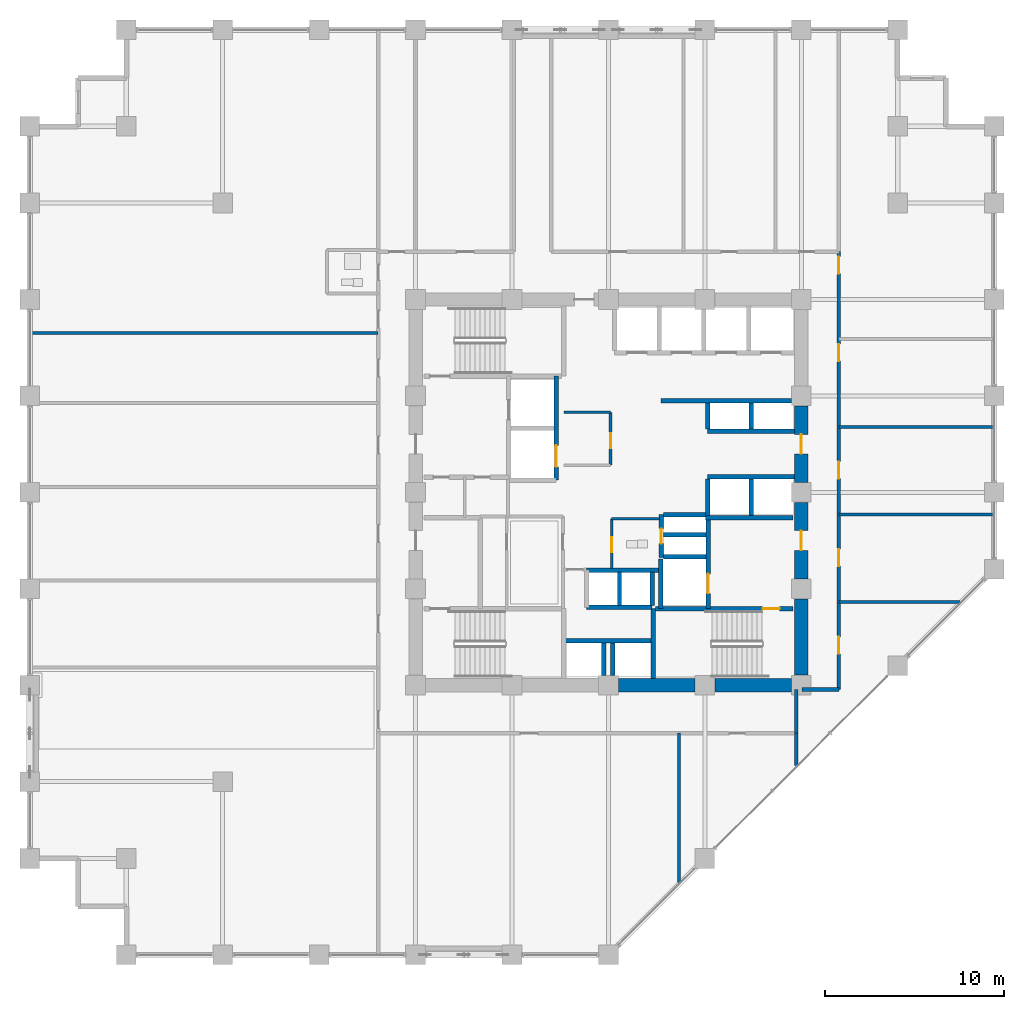
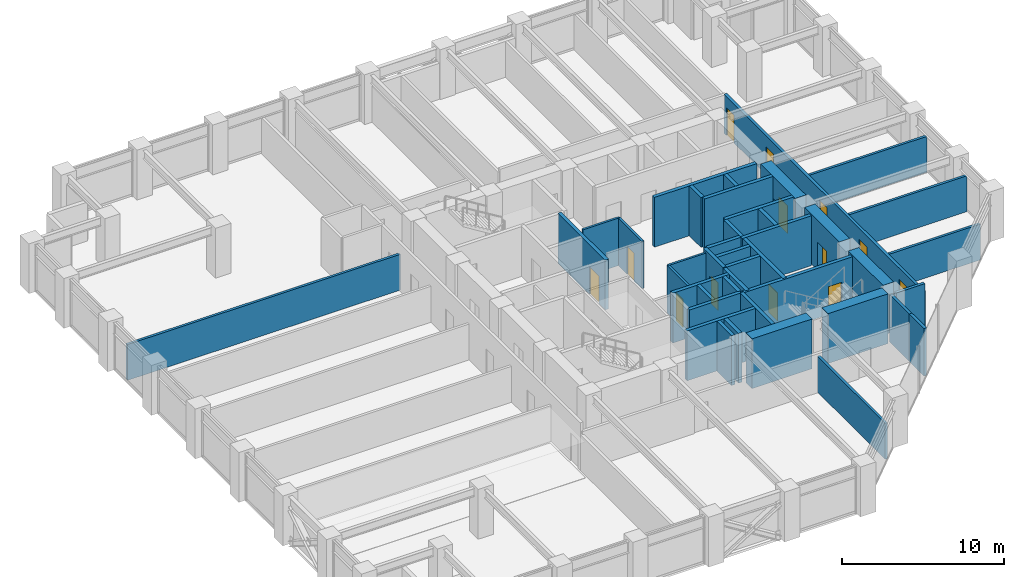
# One storey, part 20 of 25: 42 walls, 13 doors, 13 openings.
"""IFC4 building model written with IfcOpenShell, lengths in metres."""

from ifc_helpers import new_model, si_unit, direction, frame, frame_2d, origin, place, context, subcontext, project, spatial, rectangle, extrude, material, layer, layer_set, type_object, element, fill, save


model = new_model("IFC4")

# Units and contexts
model_context = context("Model", 3, precision=1e-05, world=origin(), true_north=direction((0.0, 1.0)))
body_context = subcontext(model_context, "Body", "Model", "MODEL_VIEW")
ifc_project = project(units=[si_unit("LENGTHUNIT", "METRE"), si_unit("AREAUNIT", "SQUARE_METRE"), si_unit("VOLUMEUNIT", "CUBIC_METRE"), si_unit("PLANEANGLEUNIT", "RADIAN"), si_unit("MASSUNIT", "GRAM", prefix="KILO")], contexts=[model_context])

# Site, building, storey
site_placement = place(None, origin())
site = spatial("IfcSite", under=ifc_project, at=site_placement, CompositionType="ELEMENT")
building_placement = place(site_placement, origin())
building = spatial("IfcBuilding", under=site, at=building_placement, Name="Surkhivell Harbour Commons", CompositionType="ELEMENT")
storey_placement = place(building_placement, frame((0.0, 0.0, 113.25)))
storey = spatial("IfcBuildingStorey", under=building, at=storey_placement, Name="L29", CompositionType="ELEMENT", Elevation=113.25)

# Wall
ifc_material_1 = material(Name="Concrete C60/75", Category="concrete")
ifc_layer_1 = layer(ifc_material_1, 0.75)
ifc_layer_set_1 = layer_set([ifc_layer_1], Name="Concrete C60/75")
wall_type_1 = type_object("IfcWallType", Name="WAL-CORE-750", PredefinedType="SHEAR", material=ifc_layer_set_1)
wall_1_placement = place(storey_placement, frame((10.800048828125, -10.239990234375, 0.0), z_axis=(0.0, 0.0, 1.0), x_axis=(0.0, 1.0, 0.0)))
element("IfcWall", 1, at=wall_1_placement, inside=storey, type_object=wall_type_1, Name="L29 Core Shear Wall East 1", PredefinedType="SHEAR", context=body_context, shape_type="SweptSolid", body=[
    extrude(rectangle(XDim=4.280029296875, YDim=0.75, at=frame_2d((2.14013671875, 0.0))), origin(), (0.0, 0.0, 1.0), 3.75),
])

# Wall, opening, door
wall_2_placement = place(storey_placement, frame((10.800048828125, -4.840087890625, 0.0), z_axis=(0.0, 0.0, 1.0), x_axis=(0.0, 1.0, 0.0)))
wall_2 = element("IfcWall", 2, at=wall_2_placement, inside=storey, type_object=wall_type_1, Name="L29 Core Shear Wall East 2", PredefinedType="SHEAR", context=body_context, shape_type="SweptSolid", body=[
    extrude(rectangle(XDim=4.280029296875, YDim=0.75, at=frame_2d((2.14013671875, 0.0))), origin(), (0.0, 0.0, 1.0), 3.75),
])
opening_1_placement = place(wall_2_placement, frame((1.590087890625, 0.0, 0.0)))
opening_1 = element("IfcOpeningElement", 3, at=opening_1_placement, cuts=wall_2, Name="Opening ID-1", PredefinedType="OPENING", context=body_context, shape_type="SweptSolid", body=[
    extrude(rectangle(XDim=1.10009765625, YDim=2.10009765625, at=frame_2d((0.550048828125, 1.050048828125))), frame((0.0, 0.385009765625, 0.0), z_axis=(0.0, -1.0, 0.0), x_axis=(1.0, 0.0, 0.0)), (0.0, 0.0, 1.0), 0.77001953125),
])
ifc_material_2 = material(Name="Hardwood-veneered fire-rated door leaf", Category="wood")
door_type_1 = type_object("IfcDoorType", Name="DOR-FD120-1100", OperationType="NOTDEFINED", PredefinedType="DOOR", material=ifc_material_2)
door_1_placement = place(opening_1_placement, origin())
door_1 = element("IfcDoor", 4, at=door_1_placement, inside=storey, type_object=door_type_1, Name="L29 Firefighting Lobby 2 Corridor Door", OperationType="SINGLE_SWING_RIGHT", OverallHeight=2.10009765625, OverallWidth=1.10009765625, PredefinedType="DOOR", context=body_context, shape_type="SweptSolid", body=[
    extrude(rectangle(XDim=1.10009765625, YDim=2.10009765625, at=frame_2d((0.550048828125, 1.050048828125))), frame((0.0, 0.02490234375, 0.0), z_axis=(0.0, -1.0, 0.0), x_axis=(1.0, 0.0, 0.0)), (0.0, 0.0, 1.0), 0.050048828125),
])
fill(opening_1, door_1)

# Wall
wall_3_placement = place(storey_placement, frame((0.56005859375, -10.800048828125, 0.0), z_axis=(0.0, 0.0, 1.0), x_axis=(1.0, 0.0, 0.0)))
element("IfcWall", 5, at=wall_3_placement, inside=storey, type_object=wall_type_1, Name="L29 Core Shear Wall South 3", PredefinedType="SHEAR", context=body_context, shape_type="SweptSolid", body=[
    extrude(rectangle(XDim=4.280029296875, YDim=0.75, at=frame_2d((2.14013671875, 0.0))), origin(), (0.0, 0.0, 1.0), 3.75),
])

# Wall, opening, door
wall_4_placement = place(storey_placement, frame((10.800048828125, 0.56005859375, 0.0), z_axis=(0.0, 0.0, 1.0), x_axis=(0.0, 1.0, 0.0)))
wall_4 = element("IfcWall", 6, at=wall_4_placement, inside=storey, type_object=wall_type_1, Name="L29 Core Shear Wall East 3", PredefinedType="SHEAR", context=body_context, shape_type="SweptSolid", body=[
    extrude(rectangle(XDim=4.280029296875, YDim=0.75, at=frame_2d((2.14013671875, 0.0))), origin(), (0.0, 0.0, 1.0), 3.75),
])
opening_2_placement = place(wall_4_placement, frame((1.590087890625, 0.0, 0.0)))
opening_2 = element("IfcOpeningElement", 7, at=opening_2_placement, cuts=wall_4, Name="Opening ID-2", PredefinedType="OPENING", context=body_context, shape_type="SweptSolid", body=[
    extrude(rectangle(XDim=1.10009765625, YDim=2.10009765625, at=frame_2d((0.550048828125, 1.050048828125))), frame((0.0, 0.385009765625, 0.0), z_axis=(0.0, -1.0, 0.0), x_axis=(1.0, 0.0, 0.0)), (0.0, 0.0, 1.0), 0.77001953125),
])
door_type_2 = type_object("IfcDoorType", Name="DOR-FD60-1100", OperationType="NOTDEFINED", PredefinedType="DOOR", material=ifc_material_2)
door_2_placement = place(opening_2_placement, origin())
door_2 = element("IfcDoor", 8, at=door_2_placement, inside=storey, type_object=door_type_2, Name="L29 Mid-Rise Lobby East Door", OperationType="SINGLE_SWING_LEFT", OverallHeight=2.10009765625, OverallWidth=1.10009765625, PredefinedType="DOOR", context=body_context, shape_type="SweptSolid", body=[
    extrude(rectangle(XDim=1.10009765625, YDim=2.10009765625, at=frame_2d((0.550048828125, 1.050048828125))), frame((0.0, 0.02490234375, 0.0), z_axis=(0.0, -1.0, 0.0), x_axis=(1.0, 0.0, 0.0)), (0.0, 0.0, 1.0), 0.050048828125),
])
fill(opening_2, door_2)

# Walls
wall_5_placement = place(storey_placement, frame((5.9599609375, -10.800048828125, 0.0), z_axis=(0.0, 0.0, 1.0), x_axis=(1.0, 0.0, 0.0)))
element("IfcWall", 9, at=wall_5_placement, inside=storey, type_object=wall_type_1, Name="L29 Core Shear Wall South 4", PredefinedType="SHEAR", context=body_context, shape_type="SweptSolid", body=[
    extrude(rectangle(XDim=4.280029296875, YDim=0.75, at=frame_2d((2.14013671875, 0.0))), origin(), (0.0, 0.0, 1.0), 3.75),
])
ifc_material_3 = material(Name="Twin-stud acoustic fireboard partition", Category="other")
ifc_layer_2 = layer(ifc_material_3, 0.14990234375)
ifc_layer_set_2 = layer_set([ifc_layer_2], Name="Twin-stud acoustic fireboard partition")
wall_type_2 = type_object("IfcWallType", Name="WAL-INT-150", PredefinedType="PARTITIONING", material=ifc_layer_set_2)
wall_6_placement = place(storey_placement, frame((0.179931640625, -1.47998046875, 0.0), z_axis=(0.0, 0.0, 1.0), x_axis=(1.0, 0.0, 0.0)))
element("IfcWall", 10, at=wall_6_placement, inside=storey, type_object=wall_type_2, Name="L29 Core Accessible WC North Wall", PredefinedType="PARTITIONING", context=body_context, shape_type="SweptSolid", body=[
    extrude(rectangle(XDim=2.670166015625, YDim=0.14990234375, at=frame_2d((1.3349609375, 0.0))), origin(), (0.0, 0.0, 1.0), 3.570068359375),
])

# Wall, opening, door
wall_7_placement = place(storey_placement, frame((0.179931640625, -4.25, 0.0), z_axis=(0.0, 0.0, 1.0), x_axis=(0.0, 1.0, 0.0)))
wall_7 = element("IfcWall", 11, at=wall_7_placement, inside=storey, type_object=wall_type_2, Name="L29 Core Accessible WC West Wall", PredefinedType="PARTITIONING", context=body_context, shape_type="SweptSolid", body=[
    extrude(rectangle(XDim=2.77001953125, YDim=0.14990234375, at=frame_2d((1.385009765625, 0.0))), origin(), (0.0, 0.0, 1.0), 3.570068359375),
])
opening_3_placement = place(wall_7_placement, frame((0.89990234375, 0.0, 0.0)))
opening_3 = element("IfcOpeningElement", 12, at=opening_3_placement, cuts=wall_7, Name="Opening ID-6", PredefinedType="OPENING", context=body_context, shape_type="SweptSolid", body=[
    extrude(rectangle(XDim=0.85009765625, YDim=2.10009765625, at=frame_2d((0.425048828125, 1.050048828125))), frame((0.0, 0.0849609375, 0.0), z_axis=(0.0, -1.0, 0.0), x_axis=(1.0, 0.0, 0.0)), (0.0, 0.0, 1.0), 0.169921875),
])
door_type_3 = type_object("IfcDoorType", Name="DOR-FD30-850", OperationType="NOTDEFINED", PredefinedType="DOOR", material=ifc_material_2)
door_3_placement = place(opening_3_placement, origin())
door_3 = element("IfcDoor", 13, at=door_3_placement, inside=storey, type_object=door_type_3, Name="L29 Floor Accessible WC Door", OperationType="SINGLE_SWING_LEFT", OverallHeight=2.10009765625, OverallWidth=0.85009765625, PredefinedType="DOOR", context=body_context, shape_type="SweptSolid", body=[
    extrude(rectangle(XDim=0.85009765625, YDim=2.10009765625, at=frame_2d((0.425048828125, 1.050048828125))), frame((0.0, 0.02490234375, 0.0), z_axis=(0.0, -1.0, 0.0), x_axis=(1.0, 0.0, 0.0)), (0.0, 0.0, 1.0), 0.050048828125),
])
fill(opening_3, door_3)

wall_8_placement = place(storey_placement, frame((0.1201171875, 1.52001953125, 0.0), z_axis=(0.0, 0.0, 1.0), x_axis=(0.0, 1.0, 0.0)))
wall_8 = element("IfcWall", 14, at=wall_8_placement, inside=storey, type_object=wall_type_2, Name="L29 Central Reading East Wall", PredefinedType="PARTITIONING", context=body_context, shape_type="SweptSolid", body=[
    extrude(rectangle(XDim=2.9599609375, YDim=0.14990234375, at=frame_2d((1.47998046875, 0.0))), origin(), (0.0, 0.0, 1.0), 3.570068359375),
])
opening_4_placement = place(wall_8_placement, frame((0.949951171875, 0.0, 0.0)))
opening_4 = element("IfcOpeningElement", 15, at=opening_4_placement, cuts=wall_8, Name="Opening ID-6", PredefinedType="OPENING", context=body_context, shape_type="SweptSolid", body=[
    extrude(rectangle(XDim=0.85009765625, YDim=2.10009765625, at=frame_2d((0.425048828125, 1.050048828125))), frame((0.0, 0.0849609375, 0.0), z_axis=(0.0, -1.0, 0.0), x_axis=(1.0, 0.0, 0.0)), (0.0, 0.0, 1.0), 0.169921875),
])
door_4_placement = place(opening_4_placement, origin())
door_4 = element("IfcDoor", 16, at=door_4_placement, inside=storey, type_object=door_type_3, Name="L29 Central Core Reading Door", OperationType="SINGLE_SWING_RIGHT", OverallHeight=2.10009765625, OverallWidth=0.85009765625, PredefinedType="DOOR", context=body_context, shape_type="SweptSolid", body=[
    extrude(rectangle(XDim=0.85009765625, YDim=2.10009765625, at=frame_2d((0.425048828125, 1.050048828125))), frame((0.0, 0.02490234375, 0.0), z_axis=(0.0, -1.0, 0.0), x_axis=(1.0, 0.0, 0.0)), (0.0, 0.0, 1.0), 0.050048828125),
])
fill(opening_4, door_4)

# Walls
wall_9_placement = place(storey_placement, frame((-2.47998046875, 4.47998046875, 0.0), z_axis=(0.0, 0.0, 1.0), x_axis=(1.0, 0.0, 0.0)))
element("IfcWall", 17, at=wall_9_placement, inside=storey, type_object=wall_type_2, Name="L29 Central Reading North Wall", PredefinedType="PARTITIONING", context=body_context, shape_type="SweptSolid", body=[
    extrude(rectangle(XDim=2.60009765625, YDim=0.14990234375, at=frame_2d((1.300048828125, 0.0))), origin(), (0.0, 0.0, 1.0), 3.570068359375),
])
ifc_material_4 = material(Name="High-density acoustic blockwork fire partition", Category="masonry")
ifc_layer_3 = layer(ifc_material_4, 0.175048828125)
ifc_layer_set_3 = layer_set([ifc_layer_3], Name="High-density acoustic blockwork fire partition")
wall_type_3 = type_object("IfcWallType", Name="WAL-INT-175", PredefinedType="PARTITIONING", material=ifc_layer_set_3)
wall_10_placement = place(storey_placement, frame((12.89990234375, -6.139892578125, 0.0), z_axis=(0.0, 0.0, 1.0), x_axis=(1.0, 0.0, 0.0)))
element("IfcWall", 18, at=wall_10_placement, inside=storey, type_object=wall_type_3, Name="L29 East Partition P1", PredefinedType="PARTITIONING", context=body_context, shape_type="SweptSolid", body=[
    extrude(rectangle(XDim=6.775146484375, YDim=0.175048828125, at=frame_2d((3.3876953125, 0.0))), origin(), (0.0, 0.0, 1.0), 2.698974609375),
])
for number, where, z_axis, x_axis, name in (
    (19, (12.89990234375, -1.22998046875, 0.0), (0.0, 0.0, 1.0), (1.0, 0.0, 0.0), "L29 East Partition P2"),
    (20, (12.89990234375, 3.669921875, 0.0), (0.0, 0.0, 1.0), (1.0, 0.0, 0.0), "L29 East Partition P3"),
):
    element("IfcWall", number, at=place(storey_placement, frame(where, z_axis=z_axis, x_axis=x_axis)), inside=storey, type_object=wall_type_3, Name=name, PredefinedType="PARTITIONING", context=body_context, shape_type="SweptSolid", body=[
        extrude(rectangle(XDim=8.64013671875, YDim=0.175048828125, at=frame_2d((4.320068359375, 0.0))), origin(), (0.0, 0.0, 1.0), 2.698974609375),
    ])
wall_11_placement = place(storey_placement, frame((3.9599609375, -21.855224609375, 0.0), z_axis=(0.0, 0.0, 1.0), x_axis=(0.0, 1.0, 0.0)))
element("IfcWall", 21, at=wall_11_placement, inside=storey, type_object=wall_type_3, Name="L29 South Partition P1", PredefinedType="PARTITIONING", context=body_context, shape_type="SweptSolid", body=[
    extrude(rectangle(XDim=8.375244140625, YDim=0.175048828125, at=frame_2d((4.1875, 0.0))), origin(), (0.0, 0.0, 1.0), 2.698974609375),
])
wall_12_placement = place(storey_placement, frame((-32.340087890625, 8.929931640625, 0.0), z_axis=(0.0, 0.0, 1.0), x_axis=(1.0, 0.0, 0.0)))
element("IfcWall", 22, at=wall_12_placement, inside=storey, type_object=wall_type_3, Name="L29 West Partition PTOP", PredefinedType="PARTITIONING", context=body_context, shape_type="SweptSolid", body=[
    extrude(rectangle(XDim=19.440185546875, YDim=0.175048828125, at=frame_2d((9.72021484375, 0.0))), origin(), (0.0, 0.0, 1.0), 2.698974609375),
])
ifc_material_5 = material(Name="Autoclaved aerated concrete blockwork and fire plaster", Category="masonry")
ifc_layer_4 = layer(ifc_material_5, 0.199951171875)
ifc_layer_set_4 = layer_set([ifc_layer_4], Name="Autoclaved aerated concrete blockwork and fire plaster")
wall_type_4 = type_object("IfcWallType", Name="WAL-INT-200", PredefinedType="PARTITIONING", material=ifc_layer_set_4)
wall_13_placement = place(storey_placement, frame((10.52001953125, -15.295166015625, 0.0), z_axis=(0.0, 0.0, 1.0), x_axis=(0.0, 1.0, 0.0)))
element("IfcWall", 23, at=wall_13_placement, inside=storey, type_object=wall_type_4, Name="L29 South-East Wing Corner Divider", PredefinedType="PARTITIONING", context=body_context, shape_type="SweptSolid", body=[
    extrude(rectangle(XDim=1.815185546875, YDim=0.199951171875, at=frame_2d((0.90771484375, 0.0))), origin(), (0.0, 0.0, 1.0), 3.570068359375),
])

# Wall, openings, doors
wall_14_placement = place(storey_placement, frame((12.89990234375, -11.0400390625, 0.0), z_axis=(0.0, 0.0, 1.0), x_axis=(0.0, 1.0, 0.0)))
wall_14 = element("IfcWall", 24, at=wall_14_placement, inside=storey, type_object=wall_type_4, Name="L29 Corridor East Wall", PredefinedType="PARTITIONING", context=body_context, shape_type="SweptSolid", body=[
    extrude(rectangle(XDim=24.52001953125, YDim=0.199951171875, at=frame_2d((12.260009765625, 0.0))), origin(), (0.0, 0.0, 1.0), 2.93310546875),
])
opening_5_placement = place(wall_14_placement, frame((2.0, 0.0, 0.0)))
opening_5 = element("IfcOpeningElement", 25, at=opening_5_placement, cuts=wall_14, Name="Opening ID-4", PredefinedType="OPENING", context=body_context, shape_type="SweptSolid", body=[
    extrude(rectangle(XDim=0.949951171875, YDim=2.10009765625, at=frame_2d((0.47509765625, 1.050048828125))), frame((0.0, 0.10986328125, 0.0), z_axis=(0.0, -1.0, 0.0), x_axis=(1.0, 0.0, 0.0)), (0.0, 0.0, 1.0), 0.219970703125),
])
opening_6_placement = place(wall_14_placement, frame((6.905029296875, 0.0, 0.0)))
opening_6 = element("IfcOpeningElement", 26, at=opening_6_placement, cuts=wall_14, Name="Opening ID-4", PredefinedType="OPENING", context=body_context, shape_type="SweptSolid", body=[
    extrude(rectangle(XDim=0.949951171875, YDim=2.10009765625, at=frame_2d((0.47509765625, 1.050048828125))), frame((0.0, 0.10986328125, 0.0), z_axis=(0.0, -1.0, 0.0), x_axis=(1.0, 0.0, 0.0)), (0.0, 0.0, 1.0), 0.219970703125),
])
opening_7_placement = place(wall_14_placement, frame((11.81005859375, 0.0, 0.0)))
opening_7 = element("IfcOpeningElement", 27, at=opening_7_placement, cuts=wall_14, Name="Opening ID-4", PredefinedType="OPENING", context=body_context, shape_type="SweptSolid", body=[
    extrude(rectangle(XDim=0.949951171875, YDim=2.10009765625, at=frame_2d((0.47509765625, 1.050048828125))), frame((0.0, 0.10986328125, 0.0), z_axis=(0.0, -1.0, 0.0), x_axis=(1.0, 0.0, 0.0)), (0.0, 0.0, 1.0), 0.219970703125),
])
opening_8_placement = place(wall_14_placement, frame((18.389892578125, 0.0, 0.0)))
opening_8 = element("IfcOpeningElement", 28, at=opening_8_placement, cuts=wall_14, Name="Opening ID-4", PredefinedType="OPENING", context=body_context, shape_type="SweptSolid", body=[
    extrude(rectangle(XDim=0.949951171875, YDim=2.10009765625, at=frame_2d((0.47509765625, 1.050048828125))), frame((0.0, 0.10986328125, 0.0), z_axis=(0.0, -1.0, 0.0), x_axis=(1.0, 0.0, 0.0)), (0.0, 0.0, 1.0), 0.219970703125),
])
opening_9_placement = place(wall_14_placement, frame((23.2900390625, 0.0, 0.0)))
opening_9 = element("IfcOpeningElement", 29, at=opening_9_placement, cuts=wall_14, Name="Opening ID-4", PredefinedType="OPENING", context=body_context, shape_type="SweptSolid", body=[
    extrude(rectangle(XDim=0.949951171875, YDim=2.10009765625, at=frame_2d((0.47509765625, 1.050048828125))), frame((0.0, 0.10986328125, 0.0), z_axis=(0.0, -1.0, 0.0), x_axis=(1.0, 0.0, 0.0)), (0.0, 0.0, 1.0), 0.219970703125),
])
door_type_4 = type_object("IfcDoorType", Name="DOR-FD60-950", OperationType="NOTDEFINED", PredefinedType="DOOR", material=ifc_material_2)
door_5_placement = place(opening_5_placement, origin())
door_5 = element("IfcDoor", 30, at=door_5_placement, inside=storey, type_object=door_type_4, Name="L29 Co-Working Study Office Pod 1 East Door", OperationType="SINGLE_SWING_LEFT", OverallHeight=2.10009765625, OverallWidth=0.949951171875, PredefinedType="DOOR", context=body_context, shape_type="SweptSolid", body=[
    extrude(rectangle(XDim=0.949951171875, YDim=2.10009765625, at=frame_2d((0.47509765625, 1.050048828125))), frame((0.0, 0.02490234375, 0.0), z_axis=(0.0, -1.0, 0.0), x_axis=(1.0, 0.0, 0.0)), (0.0, 0.0, 1.0), 0.050048828125),
])
fill(opening_5, door_5)
door_6_placement = place(opening_6_placement, origin())
door_6 = element("IfcDoor", 31, at=door_6_placement, inside=storey, type_object=door_type_4, Name="L29 Academic Seminar Pod 2 East Door", OperationType="SINGLE_SWING_RIGHT", OverallHeight=2.10009765625, OverallWidth=0.949951171875, PredefinedType="DOOR", context=body_context, shape_type="SweptSolid", body=[
    extrude(rectangle(XDim=0.949951171875, YDim=2.10009765625, at=frame_2d((0.47509765625, 1.050048828125))), frame((0.0, 0.02490234375, 0.0), z_axis=(0.0, -1.0, 0.0), x_axis=(1.0, 0.0, 0.0)), (0.0, 0.0, 1.0), 0.050048828125),
])
fill(opening_6, door_6)
door_7_placement = place(opening_7_placement, origin())
door_7 = element("IfcDoor", 32, at=door_7_placement, inside=storey, type_object=door_type_4, Name="L29 Harbour Espresso Cafe Shop 3 East Door", OperationType="SINGLE_SWING_LEFT", OverallHeight=2.10009765625, OverallWidth=0.949951171875, PredefinedType="DOOR", context=body_context, shape_type="SweptSolid", body=[
    extrude(rectangle(XDim=0.949951171875, YDim=2.10009765625, at=frame_2d((0.47509765625, 1.050048828125))), frame((0.0, 0.02490234375, 0.0), z_axis=(0.0, -1.0, 0.0), x_axis=(1.0, 0.0, 0.0)), (0.0, 0.0, 1.0), 0.050048828125),
])
fill(opening_7, door_7)
door_8_placement = place(opening_8_placement, origin())
door_8 = element("IfcDoor", 33, at=door_8_placement, inside=storey, type_object=door_type_4, Name="L29 Zone Concierge Reception Foyer 4 East Door", OperationType="SINGLE_SWING_RIGHT", OverallHeight=2.10009765625, OverallWidth=0.949951171875, PredefinedType="DOOR", context=body_context, shape_type="SweptSolid", body=[
    extrude(rectangle(XDim=0.949951171875, YDim=2.10009765625, at=frame_2d((0.47509765625, 1.050048828125))), frame((0.0, 0.02490234375, 0.0), z_axis=(0.0, -1.0, 0.0), x_axis=(1.0, 0.0, 0.0)), (0.0, 0.0, 1.0), 0.050048828125),
])
fill(opening_8, door_8)
door_9_placement = place(opening_9_placement, origin())
door_9 = element("IfcDoor", 34, at=door_9_placement, inside=storey, type_object=door_type_4, Name="L29 Shared Communal Kitchen 5 East Door", OperationType="SINGLE_SWING_LEFT", OverallHeight=2.10009765625, OverallWidth=0.949951171875, PredefinedType="DOOR", context=body_context, shape_type="SweptSolid", body=[
    extrude(rectangle(XDim=0.949951171875, YDim=2.10009765625, at=frame_2d((0.47509765625, 1.050048828125))), frame((0.0, 0.02490234375, 0.0), z_axis=(0.0, -1.0, 0.0), x_axis=(1.0, 0.0, 0.0)), (0.0, 0.0, 1.0), 0.050048828125),
])
fill(opening_9, door_9)

# Walls
wall_15_placement = place(storey_placement, frame((10.85009765625, -11.0400390625, 0.0), z_axis=(0.0, 0.0, 1.0), x_axis=(1.0, 0.0, 0.0)))
element("IfcWall", 35, at=wall_15_placement, inside=storey, type_object=wall_type_4, Name="L29 Corridor East South Closure Wall", PredefinedType="PARTITIONING", context=body_context, shape_type="SweptSolid", body=[
    extrude(rectangle(XDim=2.0498046875, YDim=0.199951171875, at=frame_2d((1.02490234375, 0.0))), origin(), (0.0, 0.0, 1.0), 3.570068359375),
])
wall_16_placement = place(storey_placement, frame((10.52001953125, -13.47998046875, 0.0), z_axis=(0.0, 0.0, 1.0), x_axis=(0.0, 1.0, 0.0)))
element("IfcWall", 36, at=wall_16_placement, inside=storey, type_object=wall_type_4, Name="L29 Corridor SE Closure Wall", PredefinedType="PARTITIONING", context=body_context, shape_type="SweptSolid", body=[
    extrude(rectangle(XDim=2.43994140625, YDim=0.199951171875, at=frame_2d((1.219970703125, 0.0))), origin(), (0.0, 0.0, 1.0), 3.570068359375),
])
ifc_material_6 = material(Name="Concrete C50/60", Category="concrete")
ifc_layer_5 = layer(ifc_material_6, 0.25)
ifc_layer_set_5 = layer_set([ifc_layer_5], Name="Concrete C50/60")
wall_type_5 = type_object("IfcWallType", Name="WAL-SHAFT-250", PredefinedType="SHEAR", material=ifc_layer_set_5)
wall_17_placement = place(storey_placement, frame((2.929931640625, -6.510009765625, 0.0), z_axis=(0.0, 0.0, 1.0), x_axis=(0.0, 1.0, 0.0)))
element("IfcWall", 37, at=wall_17_placement, inside=storey, type_object=wall_type_5, Name="L29 FFL2 West Shaft Wall", PredefinedType="SHEAR", context=body_context, shape_type="SweptSolid", body=[
    extrude(rectangle(XDim=2.7900390625, YDim=0.25, at=frame_2d((1.39501953125, 0.0))), origin(), (0.0, 0.0, 1.0), 3.75),
])
wall_18_placement = place(storey_placement, frame((5.43994140625, -1.419921875, 0.0), z_axis=(0.0, 0.0, 1.0), x_axis=(1.0, 0.0, 0.0)))
element("IfcWall", 38, at=wall_18_placement, inside=storey, type_object=wall_type_5, Name="L29 Firefighting Lobby 2 North Wall", PredefinedType="SHEAR", context=body_context, shape_type="SweptSolid", body=[
    extrude(rectangle(XDim=4.900146484375, YDim=0.25, at=frame_2d((2.4501953125, 0.0))), origin(), (0.0, 0.0, 1.0), 3.75),
])
wall_19_placement = place(storey_placement, frame((3.080078125, -3.60009765625, 0.0), z_axis=(0.0, 0.0, 1.0), x_axis=(1.0, 0.0, 0.0)))
element("IfcWall", 39, at=wall_19_placement, inside=storey, type_object=wall_type_5, Name="L29 FFL2 North Shaft Wall", PredefinedType="SHEAR", context=body_context, shape_type="SweptSolid", body=[
    extrude(rectangle(XDim=2.369873046875, YDim=0.25, at=frame_2d((1.18505859375, 0.0))), origin(), (0.0, 0.0, 1.0), 3.75),
])

# Wall, opening, door
wall_20_placement = place(storey_placement, frame((5.580078125, -6.510009765625, 0.0), z_axis=(0.0, 0.0, 1.0), x_axis=(0.0, 1.0, 0.0)))
wall_20 = element("IfcWall", 40, at=wall_20_placement, inside=storey, type_object=wall_type_5, Name="L29 Firefighting Lobby 2 West Shaft Wall", PredefinedType="SHEAR", context=body_context, shape_type="SweptSolid", body=[
    extrude(rectangle(XDim=5.090087890625, YDim=0.25, at=frame_2d((2.544921875, 0.0))), origin(), (0.0, 0.0, 1.0), 3.75),
])
opening_10_placement = place(wall_20_placement, frame((0.85009765625, 0.0, 0.0)))
opening_10 = element("IfcOpeningElement", 41, at=opening_10_placement, cuts=wall_20, Name="Opening LD-1", PredefinedType="OPENING", context=body_context, shape_type="SweptSolid", body=[
    extrude(rectangle(XDim=1.10009765625, YDim=2.10009765625, at=frame_2d((0.550048828125, 1.050048828125))), frame((0.0, 0.135009765625, 0.0), z_axis=(0.0, -1.0, 0.0), x_axis=(1.0, 0.0, 0.0)), (0.0, 0.0, 1.0), 0.27001953125),
])
ifc_material_7 = material(Name="Brushed stainless steel S355", Category="steel")
door_type_5 = type_object("IfcDoorType", Name="DOR-LD-1100", OperationType="SLIDING_TO_LEFT", PredefinedType="DOOR", material=ifc_material_7)
door_10_placement = place(opening_10_placement, origin())
door_10 = element("IfcDoor", 42, at=door_10_placement, inside=storey, type_object=door_type_5, Name="L29 Lift Landing Door LD-FFL2", OperationType="SLIDING_TO_RIGHT", OverallHeight=2.10009765625, OverallWidth=1.10009765625, PredefinedType="DOOR", context=body_context, shape_type="SweptSolid", body=[
    extrude(rectangle(XDim=1.10009765625, YDim=2.10009765625, at=frame_2d((0.550048828125, 1.050048828125))), frame((0.0, 0.02490234375, 0.0), z_axis=(0.0, -1.0, 0.0), x_axis=(1.0, 0.0, 0.0)), (0.0, 0.0, 1.0), 0.050048828125),
])
fill(opening_10, door_10)

# Walls
for number, where, z_axis, x_axis, name in (
    (43, (0.6201171875, -6.340087890625, 0.0), (0.0, 0.0, 1.0), (0.0, 1.0, 0.0), "L29 High-Rise Side Wall N"),
    (44, (2.449951171875, -6.340087890625, 0.0), (0.0, 0.0, 1.0), (0.0, 1.0, 0.0), "L29 High-Rise Side Wall N"),
):
    element("IfcWall", number, at=place(storey_placement, frame(where, z_axis=z_axis, x_axis=x_axis)), inside=storey, type_object=wall_type_5, Name=name, PredefinedType="SHEAR", context=body_context, shape_type="SweptSolid", body=[
        extrude(rectangle(XDim=1.880126953125, YDim=0.25, at=frame_2d((0.93994140625, 0.0))), origin(), (0.0, 0.0, 1.0), 3.75),
    ])
for number, where, z_axis, x_axis, name in (
    (45, (-0.25, -10.25, 0.0), (0.0, 0.0, 1.0), (0.0, 1.0, 0.0), "L29 High-Rise Side Wall S"),
    (46, (0.25, -10.25, 0.0), (0.0, 0.0, 1.0), (0.0, 1.0, 0.0), "L29 High-Rise Side Wall S"),
):
    element("IfcWall", number, at=place(storey_placement, frame(where, z_axis=z_axis, x_axis=x_axis)), inside=storey, type_object=wall_type_5, Name=name, PredefinedType="SHEAR", context=body_context, shape_type="SweptSolid", body=[
        extrude(rectangle(XDim=1.81005859375, YDim=0.25, at=frame_2d((0.905029296875, 0.0))), origin(), (0.0, 0.0, 1.0), 3.75),
    ])
wall_21_placement = place(storey_placement, frame((-1.219970703125, -6.43994140625, 0.0), z_axis=(0.0, 0.0, 1.0), x_axis=(1.0, 0.0, 0.0)))
element("IfcWall", 47, at=wall_21_placement, inside=storey, type_object=wall_type_5, Name="L29 High-Rise North Front Shaft Wall", PredefinedType="SHEAR", context=body_context, shape_type="SweptSolid", body=[
    extrude(rectangle(XDim=3.669921875, YDim=0.25, at=frame_2d((1.8349609375, 0.0))), origin(), (0.0, 0.0, 1.0), 3.75),
])
wall_22_placement = place(storey_placement, frame((-2.47998046875, -8.320068359375, 0.0), z_axis=(0.0, 0.0, 1.0), x_axis=(1.0, 0.0, 0.0)))
element("IfcWall", 48, at=wall_22_placement, inside=storey, type_object=wall_type_5, Name="L29 High-Rise South Front Shaft Wall", PredefinedType="SHEAR", context=body_context, shape_type="SweptSolid", body=[
    extrude(rectangle(XDim=4.929931640625, YDim=0.25, at=frame_2d((2.46484375, 0.0))), origin(), (0.0, 0.0, 1.0), 3.75),
])
wall_23_placement = place(storey_placement, frame((-1.219970703125, -4.360107421875, 0.0), z_axis=(0.0, 0.0, 1.0), x_axis=(1.0, 0.0, 0.0)))
element("IfcWall", 49, at=wall_23_placement, inside=storey, type_object=wall_type_5, Name="L29 High-Rise North Back Shaft Wall", PredefinedType="SHEAR", context=body_context, shape_type="SweptSolid", body=[
    extrude(rectangle(XDim=4.030029296875, YDim=0.25, at=frame_2d((2.01513671875, 0.0))), origin(), (0.0, 0.0, 1.0), 3.75),
])
wall_24_placement = place(storey_placement, frame((2.949951171875, 5.1201171875, 0.0), z_axis=(0.0, 0.0, 1.0), x_axis=(1.0, 0.0, 0.0)))
element("IfcWall", 50, at=wall_24_placement, inside=storey, type_object=wall_type_5, Name="L29 Low-Rise Lobby South Wall", PredefinedType="SHEAR", context=body_context, shape_type="SweptSolid", body=[
    extrude(rectangle(XDim=7.300048828125, YDim=0.25, at=frame_2d((3.64990234375, 0.0))), origin(), (0.0, 0.0, 1.0), 3.75),
])
for number, where, z_axis, x_axis, name in (
    (51, (5.550048828125, 3.550048828125, 0.0), (0.0, 0.0, 1.0), (0.0, 1.0, 0.0), "L29 Mid-Rise Shaft Side Wall N"),
    (52, (8.0, 3.550048828125, 0.0), (0.0, 0.0, 1.0), (0.0, 1.0, 0.0), "L29 Mid-Rise Shaft Side Wall N"),
):
    element("IfcWall", number, at=place(storey_placement, frame(where, z_axis=z_axis, x_axis=x_axis)), inside=storey, type_object=wall_type_5, Name=name, PredefinedType="SHEAR", context=body_context, shape_type="SweptSolid", body=[
        extrude(rectangle(XDim=1.449951171875, YDim=0.25, at=frame_2d((0.72509765625, 0.0))), origin(), (0.0, 0.0, 1.0), 3.75),
    ])
for number, where, z_axis, x_axis, name in (
    (53, (5.550048828125, -1.300048828125, 0.0), (0.0, 0.0, 1.0), (0.0, 1.0, 0.0), "L29 Mid-Rise Shaft Side Wall S"),
    (54, (8.0, -1.300048828125, 0.0), (0.0, 0.0, 1.0), (0.0, 1.0, 0.0), "L29 Mid-Rise Shaft Side Wall S"),
):
    element("IfcWall", number, at=place(storey_placement, frame(where, z_axis=z_axis, x_axis=x_axis)), inside=storey, type_object=wall_type_5, Name=name, PredefinedType="SHEAR", context=body_context, shape_type="SweptSolid", body=[
        extrude(rectangle(XDim=2.0400390625, YDim=0.25, at=frame_2d((1.02001953125, 0.0))), origin(), (0.0, 0.0, 1.0), 3.75),
    ])
for number, where, z_axis, x_axis, name in (
    (55, (5.550048828125, 3.429931640625, 0.0), (0.0, 0.0, 1.0), (1.0, 0.0, 0.0), "L29 Mid-Rise North Front Shaft Wall"),
    (56, (5.550048828125, 0.8701171875, 0.0), (0.0, 0.0, 1.0), (1.0, 0.0, 0.0), "L29 Mid-Rise South Front Shaft Wall"),
):
    element("IfcWall", number, at=place(storey_placement, frame(where, z_axis=z_axis, x_axis=x_axis)), inside=storey, type_object=wall_type_5, Name=name, PredefinedType="SHEAR", context=body_context, shape_type="SweptSolid", body=[
        extrude(rectangle(XDim=4.875, YDim=0.25, at=frame_2d((2.4375, 0.0))), origin(), (0.0, 0.0, 1.0), 3.75),
    ])
for number, where, z_axis, x_axis, name in (
    (57, (3.080078125, -2.3798828125, 0.0), (0.0, 0.0, 1.0), (1.0, 0.0, 0.0), "L29 Riser Divider Wall"),
    (58, (3.080078125, -1.25, 0.0), (0.0, 0.0, 1.0), (1.0, 0.0, 0.0), "L29 Riser North Wall"),
):
    element("IfcWall", number, at=place(storey_placement, frame(where, z_axis=z_axis, x_axis=x_axis)), inside=storey, type_object=wall_type_5, Name=name, PredefinedType="SHEAR", context=body_context, shape_type="SweptSolid", body=[
        extrude(rectangle(XDim=2.369873046875, YDim=0.25, at=frame_2d((1.18505859375, 0.0))), origin(), (0.0, 0.0, 1.0), 3.75),
    ])

# Wall, opening, door
wall_25_placement = place(storey_placement, frame((2.949951171875, -3.64990234375, 0.0), z_axis=(0.0, 0.0, 1.0), x_axis=(0.0, 1.0, 0.0)))
wall_25 = element("IfcWall", 59, at=wall_25_placement, inside=storey, type_object=wall_type_5, Name="L29 Riser Shaft West Wall", PredefinedType="SHEAR", context=body_context, shape_type="SweptSolid", body=[
    extrude(rectangle(XDim=2.39990234375, YDim=0.25, at=frame_2d((1.199951171875, 0.0))), origin(), (0.0, 0.0, 1.0), 3.75),
])
opening_11_placement = place(wall_25_placement, frame((0.77490234375, 0.0, 0.0)))
opening_11 = element("IfcOpeningElement", 60, at=opening_11_placement, cuts=wall_25, Name="Opening ID-6", PredefinedType="OPENING", context=body_context, shape_type="SweptSolid", body=[
    extrude(rectangle(XDim=0.85009765625, YDim=2.10009765625, at=frame_2d((0.425048828125, 1.050048828125))), frame((0.0, 0.135009765625, 0.0), z_axis=(0.0, -1.0, 0.0), x_axis=(1.0, 0.0, 0.0)), (0.0, 0.0, 1.0), 0.27001953125),
])
door_11_placement = place(opening_11_placement, origin())
door_11 = element("IfcDoor", 61, at=door_11_placement, inside=storey, type_object=door_type_3, Name="L29 Electrical Riser Access Door", OperationType="SINGLE_SWING_LEFT", OverallHeight=2.10009765625, OverallWidth=0.85009765625, PredefinedType="DOOR", context=body_context, shape_type="SweptSolid", body=[
    extrude(rectangle(XDim=0.85009765625, YDim=2.10009765625, at=frame_2d((0.425048828125, 1.050048828125))), frame((0.0, 0.02490234375, 0.0), z_axis=(0.0, -1.0, 0.0), x_axis=(1.0, 0.0, 0.0)), (0.0, 0.0, 1.0), 0.050048828125),
])
fill(opening_11, door_11)

wall_26_placement = place(storey_placement, frame((2.639892578125, -6.510009765625, 0.0), z_axis=(0.0, 0.0, 1.0), x_axis=(1.0, 0.0, 0.0)))
wall_26 = element("IfcWall", 62, at=wall_26_placement, inside=storey, type_object=wall_type_5, Name="L29 Stair ST2 North Shear Wall", PredefinedType="SHEAR", context=body_context, shape_type="SweptSolid", body=[
    extrude(rectangle(XDim=7.7001953125, YDim=0.25, at=frame_2d((3.85009765625, 0.0))), origin(), (0.0, 0.0, 1.0), 3.75),
])
opening_12_placement = place(wall_26_placement, frame((6.0, 0.0, 0.0)))
opening_12 = element("IfcOpeningElement", 63, at=opening_12_placement, cuts=wall_26, Name="Opening ID-4", PredefinedType="OPENING", context=body_context, shape_type="SweptSolid", body=[
    extrude(rectangle(XDim=0.949951171875, YDim=2.10009765625, at=frame_2d((0.47509765625, 1.050048828125))), frame((0.0, 0.135009765625, 0.0), z_axis=(0.0, -1.0, 0.0), x_axis=(1.0, 0.0, 0.0)), (0.0, 0.0, 1.0), 0.27001953125),
])
door_12_placement = place(opening_12_placement, origin())
door_12 = element("IfcDoor", 64, at=door_12_placement, inside=storey, type_object=door_type_4, Name="L29 Stair ST2 Exit Door", OperationType="SINGLE_SWING_RIGHT", OverallHeight=2.10009765625, OverallWidth=0.949951171875, PredefinedType="DOOR", context=body_context, shape_type="SweptSolid", body=[
    extrude(rectangle(XDim=0.949951171875, YDim=2.10009765625, at=frame_2d((0.47509765625, 1.050048828125))), frame((0.0, 0.02490234375, 0.0), z_axis=(0.0, -1.0, 0.0), x_axis=(1.0, 0.0, 0.0)), (0.0, 0.0, 1.0), 0.050048828125),
])
fill(opening_12, door_12)

# Wall
wall_27_placement = place(storey_placement, frame((2.510009765625, -10.425048828125, 0.0), z_axis=(0.0, 0.0, 1.0), x_axis=(0.0, 1.0, 0.0)))
element("IfcWall", 65, at=wall_27_placement, inside=storey, type_object=wall_type_5, Name="L29 Stair ST2 West Shear Wall", PredefinedType="SHEAR", context=body_context, shape_type="SweptSolid", body=[
    extrude(rectangle(XDim=3.9150390625, YDim=0.25, at=frame_2d((1.95751953125, 0.0))), origin(), (0.0, 0.0, 1.0), 3.75),
])

# Wall, opening, door
wall_28_placement = place(storey_placement, frame((-2.929931640625, 0.679931640625, 0.0), z_axis=(0.0, 0.0, 1.0), x_axis=(0.0, 1.0, 0.0)))
wall_28 = element("IfcWall", 66, at=wall_28_placement, inside=storey, type_object=wall_type_5, Name="L29 Service and Fire Lift East Shaft Wall", PredefinedType="SHEAR", context=body_context, shape_type="SweptSolid", body=[
    extrude(rectangle(XDim=5.830078125, YDim=0.25, at=frame_2d((2.9150390625, 0.0))), origin(), (0.0, 0.0, 1.0), 3.75),
])
opening_13_placement = place(wall_28_placement, frame((0.75, 0.0, 0.0)))
opening_13 = element("IfcOpeningElement", 67, at=opening_13_placement, cuts=wall_28, Name="Opening LD-2", PredefinedType="OPENING", context=body_context, shape_type="SweptSolid", body=[
    extrude(rectangle(XDim=1.199951171875, YDim=2.10009765625, at=frame_2d((0.60009765625, 1.050048828125))), frame((0.0, 0.135009765625, 0.0), z_axis=(0.0, -1.0, 0.0), x_axis=(1.0, 0.0, 0.0)), (0.0, 0.0, 1.0), 0.27001953125),
])
door_type_6 = type_object("IfcDoorType", Name="DOR-LD-1200", OperationType="SLIDING_TO_LEFT", PredefinedType="DOOR", material=ifc_material_7)
door_13_placement = place(opening_13_placement, origin())
door_13 = element("IfcDoor", 68, at=door_13_placement, inside=storey, type_object=door_type_6, Name="L29 Lift Landing Door LD-SVL1", OperationType="SLIDING_TO_LEFT", OverallHeight=2.10009765625, OverallWidth=1.199951171875, PredefinedType="DOOR", context=body_context, shape_type="SweptSolid", body=[
    extrude(rectangle(XDim=1.199951171875, YDim=2.10009765625, at=frame_2d((0.60009765625, 1.050048828125))), frame((0.0, 0.02490234375, 0.0), z_axis=(0.0, -1.0, 0.0), x_axis=(1.0, 0.0, 0.0)), (0.0, 0.0, 1.0), 0.050048828125),
])
fill(opening_13, door_13)

save(model, "model.ifc")
